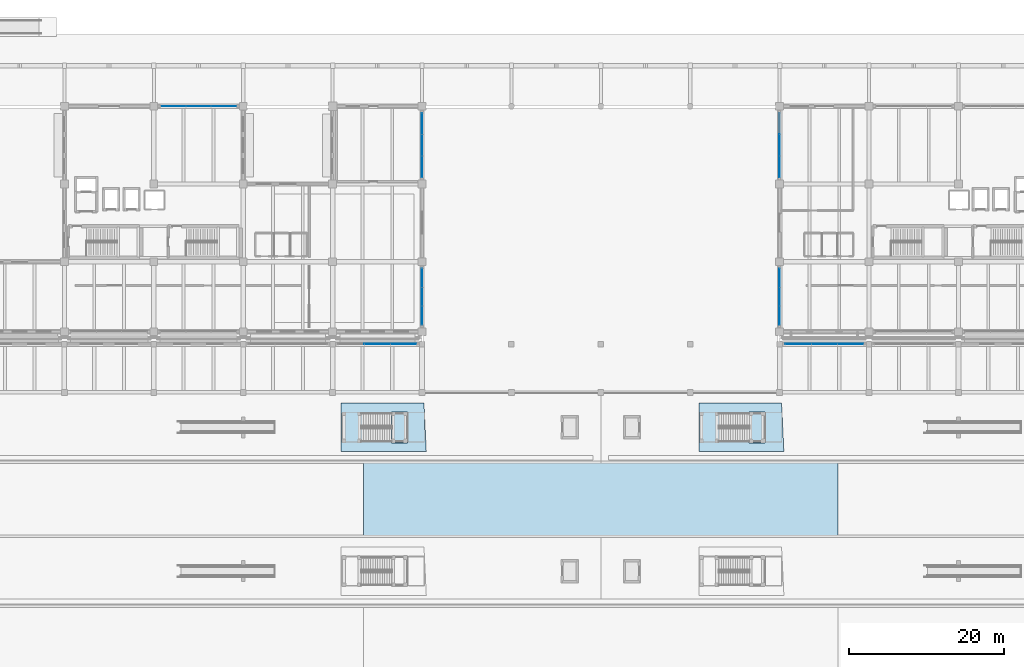
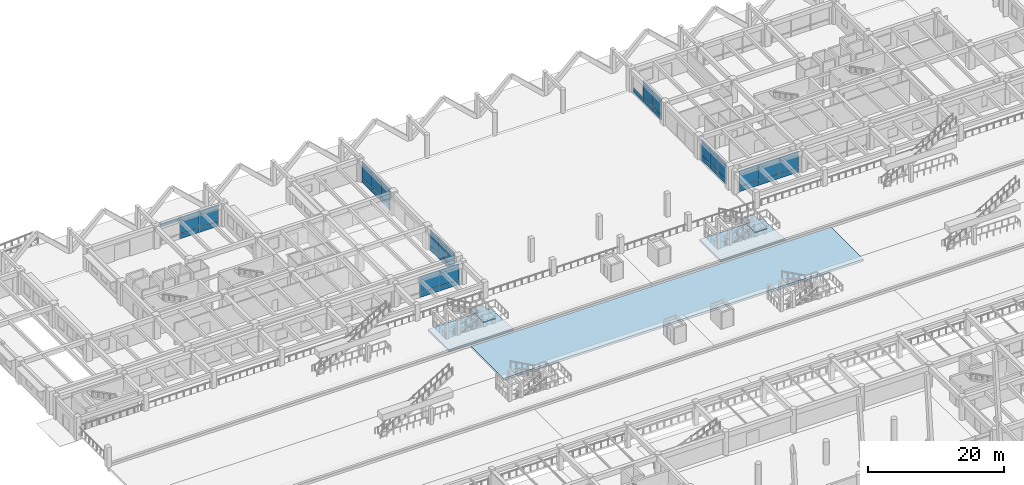
# One storey, part 74 of 109: 56 plates, 5 slabs, 9 elements without a shape of their own.
"""IFC4 building model written with IfcOpenShell, lengths in metres."""

from ifc_helpers import new_model, si_unit, direction, frame, origin, origin_2d, place, context, subcontext, project, spatial, polyline, rectangle, outline, extrude, material, layer, layer_set, type_object, element, aggregate, save


model = new_model("IFC4")

# Units and contexts
model_context = context("Model", 3, precision=1e-05, world=origin(), true_north=direction((0.0, 1.0)))
body_context = subcontext(model_context, "Body", "Model", "MODEL_VIEW")
ifc_project = project(units=[si_unit("LENGTHUNIT", "METRE"), si_unit("AREAUNIT", "SQUARE_METRE"), si_unit("VOLUMEUNIT", "CUBIC_METRE"), si_unit("PLANEANGLEUNIT", "RADIAN"), si_unit("MASSUNIT", "GRAM", prefix="KILO")], contexts=[model_context])

# Site, building, storey
site_placement = place(None, origin())
site = spatial("IfcSite", under=ifc_project, at=site_placement, CompositionType="ELEMENT")
building_placement = place(site_placement, origin())
building = spatial("IfcBuilding", under=site, at=building_placement, Name="Ologun Quay Terminus", CompositionType="ELEMENT")
storey_placement = place(building_placement, origin())
storey = spatial("IfcBuildingStorey", under=building, at=storey_placement, Name="L00", CompositionType="ELEMENT", Elevation=0.0)

# Curtain wall, plates
ifc_material_1 = material(Name="Aluminium 6063-T6", Category="aluminium")
curtain_wall_type_1 = type_object("IfcCurtainWallType", Name="Rain-Garden West Courtyard Curtain Wall L00 8200x3750", PredefinedType="USERDEFINED", material=ifc_material_1)
curtain_wall_1_placement = place(storey_placement, origin())
curtain_wall_1 = element("IfcCurtainWall", 1, at=curtain_wall_1_placement, inside=storey, type_object=curtain_wall_type_1, Name="CW-13 Curtain Wall CW-L00-094", ObjectType="UNITISED CURTAIN WALL", PredefinedType="USERDEFINED")
ifc_material_2 = material(Name="Aluminium 6063-T6", Category="aluminium")
ifc_layer_1 = layer(ifc_material_2, 0.06005859375)
ifc_layer_set_1 = layer_set([ifc_layer_1], Name="Aluminium 6063-T6")
plate_type_1 = type_object("IfcPlateType", Name="Anodised Bronze Spandrel Panel 60", PredefinedType="CURTAIN_PANEL", material=ifc_layer_set_1)
plate_1_placement = place(storey_placement, frame((69.0, 87.8798828125, 0.02978515625), z_axis=(0.0, 0.0, 1.0), x_axis=(0.0, 1.0, 0.0)))
plate_1 = element("IfcPlate", 2, at=plate_1_placement, type_object=plate_type_1, Name="CW-L00-094 Panel B1-1", PredefinedType="CURTAIN_PANEL", context=body_context, shape_type="SweptSolid", body=[
    extrude(rectangle(XDim=2.419921875, YDim=0.06005859375, at=origin_2d()), origin(), (0.0, 0.0, 1.0), 0.840087890625),
])
plate_2_placement = place(storey_placement, frame((69.0, 90.300048828125, 0.02978515625), z_axis=(0.0, 0.0, 1.0), x_axis=(0.0, 1.0, 0.0)))
plate_2 = element("IfcPlate", 3, at=plate_2_placement, type_object=plate_type_1, Name="CW-L00-094 Panel B2-1", PredefinedType="CURTAIN_PANEL", context=body_context, shape_type="SweptSolid", body=[
    extrude(rectangle(XDim=2.419921875, YDim=0.06005859375, at=origin_2d()), origin(), (0.0, 0.0, 1.0), 0.840087890625),
])
plate_3_placement = place(storey_placement, frame((69.0, 92.719970703125, 0.02978515625), z_axis=(0.0, 0.0, 1.0), x_axis=(0.0, 1.0, 0.0)))
plate_3 = element("IfcPlate", 4, at=plate_3_placement, type_object=plate_type_1, Name="CW-L00-094 Panel B3-1", PredefinedType="CURTAIN_PANEL", context=body_context, shape_type="SweptSolid", body=[
    extrude(rectangle(XDim=2.419921875, YDim=0.06005859375, at=origin_2d()), origin(), (0.0, 0.0, 1.0), 0.840087890625),
])

curtain_wall_2_placement = place(storey_placement, origin())
curtain_wall_2 = element("IfcCurtainWall", 5, at=curtain_wall_2_placement, inside=storey, type_object=curtain_wall_type_1, Name="CW-13 Curtain Wall CW-L00-095", ObjectType="UNITISED CURTAIN WALL", PredefinedType="USERDEFINED")
plate_4_placement = place(storey_placement, frame((69.0, 107.046630859375, 0.02978515625), z_axis=(0.0, 0.0, 1.0), x_axis=(0.0, 1.0, 0.0)))
plate_4 = element("IfcPlate", 6, at=plate_4_placement, type_object=plate_type_1, Name="CW-L00-095 Panel B1-1", PredefinedType="CURTAIN_PANEL", context=body_context, shape_type="SweptSolid", body=[
    extrude(rectangle(XDim=2.75341796875, YDim=0.06005859375, at=origin_2d()), origin(), (0.0, 0.0, 1.0), 0.840087890625),
])
plate_5_placement = place(storey_placement, frame((69.0, 109.800048828125, 0.02978515625), z_axis=(0.0, 0.0, 1.0), x_axis=(0.0, 1.0, 0.0)))
plate_5 = element("IfcPlate", 7, at=plate_5_placement, type_object=plate_type_1, Name="CW-L00-095 Panel B2-1", PredefinedType="CURTAIN_PANEL", context=body_context, shape_type="SweptSolid", body=[
    extrude(rectangle(XDim=2.75341796875, YDim=0.06005859375, at=origin_2d()), origin(), (0.0, 0.0, 1.0), 0.840087890625),
])
plate_6_placement = place(storey_placement, frame((69.0, 112.55322265625, 0.02978515625), z_axis=(0.0, 0.0, 1.0), x_axis=(0.0, 1.0, 0.0)))
plate_6 = element("IfcPlate", 8, at=plate_6_placement, type_object=plate_type_1, Name="CW-L00-095 Panel B3-1", PredefinedType="CURTAIN_PANEL", context=body_context, shape_type="SweptSolid", body=[
    extrude(rectangle(XDim=2.75341796875, YDim=0.06005859375, at=origin_2d()), origin(), (0.0, 0.0, 1.0), 0.840087890625),
])

ifc_material_3 = material(Name="Aluminium 6063-T6", Category="aluminium")
curtain_wall_type_2 = type_object("IfcCurtainWallType", Name="Waterfront Pavilion Harbour Curtain Wall L00 10500x3750", PredefinedType="USERDEFINED", material=ifc_material_3)
curtain_wall_3_placement = place(storey_placement, origin())
curtain_wall_3 = element("IfcCurtainWall", 9, at=curtain_wall_3_placement, inside=storey, type_object=curtain_wall_type_2, Name="CW-22 Curtain Wall CW-L00-096", ObjectType="UNITISED CURTAIN WALL", PredefinedType="USERDEFINED")
plate_7_placement = place(storey_placement, frame((40.25, 114.800048828125, 0.02978515625), z_axis=(0.0, 0.0, 1.0), x_axis=(1.0, 0.0, 0.0)))
plate_7 = element("IfcPlate", 10, at=plate_7_placement, type_object=plate_type_1, Name="CW-L00-096 Panel B2-1", PredefinedType="CURTAIN_PANEL", context=body_context, shape_type="SweptSolid", body=[
    extrude(rectangle(XDim=3.25341796875, YDim=0.06005859375, at=origin_2d()), origin(), (0.0, 0.0, 1.0), 0.840087890625),
])
plate_8_placement = place(storey_placement, frame((43.50341796875, 114.800048828125, 0.02978515625), z_axis=(0.0, 0.0, 1.0), x_axis=(1.0, 0.0, 0.0)))
plate_8 = element("IfcPlate", 11, at=plate_8_placement, type_object=plate_type_1, Name="CW-L00-096 Panel B3-1", PredefinedType="CURTAIN_PANEL", context=body_context, shape_type="SweptSolid", body=[
    extrude(rectangle(XDim=3.25341796875, YDim=0.06005859375, at=origin_2d()), origin(), (0.0, 0.0, 1.0), 0.840087890625),
])

# Slabs
ifc_material_4 = material(Name="Concrete C40/50", Category="concrete")
ifc_layer_2 = layer(ifc_material_4, 0.320068359375)
ifc_layer_set_2 = layer_set([ifc_layer_2], Name="Concrete C40/50")
slab_type_1 = type_object("IfcSlabType", Name="Ground Podium Structural Slab 320", PredefinedType="FLOOR", material=ifc_layer_set_2)
slab_1_placement = place(storey_placement, frame((0.0, 0.0, -0.320068359375)))
element("IfcSlab", 12, at=slab_1_placement, inside=storey, type_object=slab_type_1, Name="SL-GND Platform Stair Base Slab ST-P3", PredefinedType="FLOOR", context=body_context, shape_type="SweptSolid", body=[
    extrude(outline(polyline([(58.60009765625, 70.39990234375), (69.550048828125, 70.39990234375), (69.25, 76.60009765625), (58.60009765625, 76.60009765625), (58.60009765625, 70.39990234375)])), origin(), (0.0, 0.0, 1.0), 0.320068359375),
])
slab_2_placement = place(storey_placement, frame((0.0, 0.0, -0.320068359375)))
element("IfcSlab", 13, at=slab_2_placement, inside=storey, type_object=slab_type_1, Name="SL-GND Platform Stair Base Slab ST-P4", PredefinedType="FLOOR", context=body_context, shape_type="SweptSolid", body=[
    extrude(outline(polyline([(104.60009765625, 70.39990234375), (115.550048828125, 70.39990234375), (115.25, 76.60009765625), (104.60009765625, 76.60009765625), (104.60009765625, 70.39990234375)])), origin(), (0.0, 0.0, 1.0), 0.320068359375),
])

# Plate
ifc_material_5 = material(Name="Glass", Category="glass")
ifc_layer_3 = layer(ifc_material_5, 0.035888671875)
ifc_layer_set_3 = layer_set([ifc_layer_3], Name="Glass")
plate_type_2 = type_object("IfcPlateType", Name="High-Selectivity Harbour Glazed Panel 36", PredefinedType="CURTAIN_PANEL", material=ifc_layer_set_3)
plate_9_placement = place(storey_placement, frame((69.0, 87.8798828125, 0.929931640625), z_axis=(0.0, 0.0, 1.0), x_axis=(0.0, 1.0, 0.0)))
plate_9 = element("IfcPlate", 14, at=plate_9_placement, type_object=plate_type_2, Name="CW-L00-094 Panel B1-2", PredefinedType="CURTAIN_PANEL", context=body_context, shape_type="SweptSolid", body=[
    extrude(rectangle(XDim=2.419921875, YDim=0.035888671875, at=origin_2d()), origin(), (0.0, 0.0, 1.0), 2.27001953125),
])

plate_10_placement = place(storey_placement, frame((69.0, 87.8798828125, 3.26025390625), z_axis=(0.0, 0.0, 1.0), x_axis=(0.0, 1.0, 0.0)))
plate_10 = element("IfcPlate", 15, at=plate_10_placement, type_object=plate_type_2, Name="CW-L00-094 Panel B1-3", PredefinedType="CURTAIN_PANEL", context=body_context, shape_type="SweptSolid", body=[
    extrude(rectangle(XDim=2.419921875, YDim=0.035888671875, at=origin_2d()), origin(), (0.0, 0.0, 1.0), 0.639892578125),
])

plate_11_placement = place(storey_placement, frame((69.0, 90.300048828125, 0.929931640625), z_axis=(0.0, 0.0, 1.0), x_axis=(0.0, 1.0, 0.0)))
plate_11 = element("IfcPlate", 16, at=plate_11_placement, type_object=plate_type_2, Name="CW-L00-094 Panel B2-2", PredefinedType="CURTAIN_PANEL", context=body_context, shape_type="SweptSolid", body=[
    extrude(rectangle(XDim=2.419921875, YDim=0.035888671875, at=origin_2d()), origin(), (0.0, 0.0, 1.0), 2.27001953125),
])

plate_12_placement = place(storey_placement, frame((69.0, 90.300048828125, 3.26025390625), z_axis=(0.0, 0.0, 1.0), x_axis=(0.0, 1.0, 0.0)))
plate_12 = element("IfcPlate", 17, at=plate_12_placement, type_object=plate_type_2, Name="CW-L00-094 Panel B2-3", PredefinedType="CURTAIN_PANEL", context=body_context, shape_type="SweptSolid", body=[
    extrude(rectangle(XDim=2.419921875, YDim=0.035888671875, at=origin_2d()), origin(), (0.0, 0.0, 1.0), 0.639892578125),
])

plate_13_placement = place(storey_placement, frame((69.0, 92.719970703125, 0.929931640625), z_axis=(0.0, 0.0, 1.0), x_axis=(0.0, 1.0, 0.0)))
plate_13 = element("IfcPlate", 18, at=plate_13_placement, type_object=plate_type_2, Name="CW-L00-094 Panel B3-2", PredefinedType="CURTAIN_PANEL", context=body_context, shape_type="SweptSolid", body=[
    extrude(rectangle(XDim=2.419921875, YDim=0.035888671875, at=origin_2d()), origin(), (0.0, 0.0, 1.0), 2.27001953125),
])

plate_14_placement = place(storey_placement, frame((69.0, 92.719970703125, 3.26025390625), z_axis=(0.0, 0.0, 1.0), x_axis=(0.0, 1.0, 0.0)))
plate_14 = element("IfcPlate", 19, at=plate_14_placement, type_object=plate_type_2, Name="CW-L00-094 Panel B3-3", PredefinedType="CURTAIN_PANEL", context=body_context, shape_type="SweptSolid", body=[
    extrude(rectangle(XDim=2.419921875, YDim=0.035888671875, at=origin_2d()), origin(), (0.0, 0.0, 1.0), 0.639892578125),
])

aggregate(curtain_wall_1, [plate_1, plate_9, plate_10, plate_2, plate_11, plate_12, plate_3, plate_13, plate_14])

plate_15_placement = place(storey_placement, frame((69.0, 107.046630859375, 0.929931640625), z_axis=(0.0, 0.0, 1.0), x_axis=(0.0, 1.0, 0.0)))
plate_15 = element("IfcPlate", 20, at=plate_15_placement, type_object=plate_type_2, Name="CW-L00-095 Panel B1-2", PredefinedType="CURTAIN_PANEL", context=body_context, shape_type="SweptSolid", body=[
    extrude(rectangle(XDim=2.75341796875, YDim=0.035888671875, at=origin_2d()), origin(), (0.0, 0.0, 1.0), 2.27001953125),
])

plate_16_placement = place(storey_placement, frame((69.0, 107.046630859375, 3.26025390625), z_axis=(0.0, 0.0, 1.0), x_axis=(0.0, 1.0, 0.0)))
plate_16 = element("IfcPlate", 21, at=plate_16_placement, type_object=plate_type_2, Name="CW-L00-095 Panel B1-3", PredefinedType="CURTAIN_PANEL", context=body_context, shape_type="SweptSolid", body=[
    extrude(rectangle(XDim=2.75341796875, YDim=0.035888671875, at=origin_2d()), origin(), (0.0, 0.0, 1.0), 0.639892578125),
])

plate_17_placement = place(storey_placement, frame((69.0, 109.800048828125, 0.929931640625), z_axis=(0.0, 0.0, 1.0), x_axis=(0.0, 1.0, 0.0)))
plate_17 = element("IfcPlate", 22, at=plate_17_placement, type_object=plate_type_2, Name="CW-L00-095 Panel B2-2", PredefinedType="CURTAIN_PANEL", context=body_context, shape_type="SweptSolid", body=[
    extrude(rectangle(XDim=2.75341796875, YDim=0.035888671875, at=origin_2d()), origin(), (0.0, 0.0, 1.0), 2.27001953125),
])

plate_18_placement = place(storey_placement, frame((69.0, 109.800048828125, 3.26025390625), z_axis=(0.0, 0.0, 1.0), x_axis=(0.0, 1.0, 0.0)))
plate_18 = element("IfcPlate", 23, at=plate_18_placement, type_object=plate_type_2, Name="CW-L00-095 Panel B2-3", PredefinedType="CURTAIN_PANEL", context=body_context, shape_type="SweptSolid", body=[
    extrude(rectangle(XDim=2.75341796875, YDim=0.035888671875, at=origin_2d()), origin(), (0.0, 0.0, 1.0), 0.639892578125),
])

plate_19_placement = place(storey_placement, frame((69.0, 112.55322265625, 0.929931640625), z_axis=(0.0, 0.0, 1.0), x_axis=(0.0, 1.0, 0.0)))
plate_19 = element("IfcPlate", 24, at=plate_19_placement, type_object=plate_type_2, Name="CW-L00-095 Panel B3-2", PredefinedType="CURTAIN_PANEL", context=body_context, shape_type="SweptSolid", body=[
    extrude(rectangle(XDim=2.75341796875, YDim=0.035888671875, at=origin_2d()), origin(), (0.0, 0.0, 1.0), 2.27001953125),
])

plate_20_placement = place(storey_placement, frame((69.0, 112.55322265625, 3.26025390625), z_axis=(0.0, 0.0, 1.0), x_axis=(0.0, 1.0, 0.0)))
plate_20 = element("IfcPlate", 25, at=plate_20_placement, type_object=plate_type_2, Name="CW-L00-095 Panel B3-3", PredefinedType="CURTAIN_PANEL", context=body_context, shape_type="SweptSolid", body=[
    extrude(rectangle(XDim=2.75341796875, YDim=0.035888671875, at=origin_2d()), origin(), (0.0, 0.0, 1.0), 0.639892578125),
])

aggregate(curtain_wall_2, [plate_4, plate_15, plate_16, plate_5, plate_17, plate_18, plate_6, plate_19, plate_20])

plate_21_placement = place(storey_placement, frame((36.99658203125, 114.800048828125, 3.26025390625), z_axis=(0.0, 0.0, 1.0), x_axis=(1.0, 0.0, 0.0)))
plate_21 = element("IfcPlate", 26, at=plate_21_placement, type_object=plate_type_2, Name="CW-L00-096 Panel B1-3", PredefinedType="CURTAIN_PANEL", context=body_context, shape_type="SweptSolid", body=[
    extrude(rectangle(XDim=3.25341796875, YDim=0.035888671875, at=origin_2d()), origin(), (0.0, 0.0, 1.0), 0.639892578125),
])

plate_22_placement = place(storey_placement, frame((40.25, 114.800048828125, 0.929931640625), z_axis=(0.0, 0.0, 1.0), x_axis=(1.0, 0.0, 0.0)))
plate_22 = element("IfcPlate", 27, at=plate_22_placement, type_object=plate_type_2, Name="CW-L00-096 Panel B2-2", PredefinedType="CURTAIN_PANEL", context=body_context, shape_type="SweptSolid", body=[
    extrude(rectangle(XDim=3.25341796875, YDim=0.035888671875, at=origin_2d()), origin(), (0.0, 0.0, 1.0), 2.27001953125),
])

plate_23_placement = place(storey_placement, frame((40.25, 114.800048828125, 3.26025390625), z_axis=(0.0, 0.0, 1.0), x_axis=(1.0, 0.0, 0.0)))
plate_23 = element("IfcPlate", 28, at=plate_23_placement, type_object=plate_type_2, Name="CW-L00-096 Panel B2-3", PredefinedType="CURTAIN_PANEL", context=body_context, shape_type="SweptSolid", body=[
    extrude(rectangle(XDim=3.25341796875, YDim=0.035888671875, at=origin_2d()), origin(), (0.0, 0.0, 1.0), 0.639892578125),
])

plate_24_placement = place(storey_placement, frame((43.50341796875, 114.800048828125, 0.929931640625), z_axis=(0.0, 0.0, 1.0), x_axis=(1.0, 0.0, 0.0)))
plate_24 = element("IfcPlate", 29, at=plate_24_placement, type_object=plate_type_2, Name="CW-L00-096 Panel B3-2", PredefinedType="CURTAIN_PANEL", context=body_context, shape_type="SweptSolid", body=[
    extrude(rectangle(XDim=3.25341796875, YDim=0.035888671875, at=origin_2d()), origin(), (0.0, 0.0, 1.0), 2.27001953125),
])

plate_25_placement = place(storey_placement, frame((43.50341796875, 114.800048828125, 3.26025390625), z_axis=(0.0, 0.0, 1.0), x_axis=(1.0, 0.0, 0.0)))
plate_25 = element("IfcPlate", 30, at=plate_25_placement, type_object=plate_type_2, Name="CW-L00-096 Panel B3-3", PredefinedType="CURTAIN_PANEL", context=body_context, shape_type="SweptSolid", body=[
    extrude(rectangle(XDim=3.25341796875, YDim=0.035888671875, at=origin_2d()), origin(), (0.0, 0.0, 1.0), 0.639892578125),
])

aggregate(curtain_wall_3, [plate_21, plate_7, plate_22, plate_23, plate_8, plate_24, plate_25])

# Curtain wall, plates
ifc_material_6 = material(Name="Aluminium 6063-T6", Category="aluminium")
curtain_wall_type_3 = type_object("IfcCurtainWallType", Name="Rain-Garden East Courtyard Curtain Wall L00 9200x3750", PredefinedType="USERDEFINED", material=ifc_material_6)
curtain_wall_4_placement = place(storey_placement, origin())
curtain_wall_4 = element("IfcCurtainWall", 31, at=curtain_wall_4_placement, inside=storey, type_object=curtain_wall_type_3, Name="CW-17 Curtain Wall CW-L00-122", ObjectType="UNITISED CURTAIN WALL", PredefinedType="USERDEFINED")
plate_26_placement = place(storey_placement, frame((115.0, 87.8798828125, 0.929931640625), z_axis=(0.0, 0.0, 1.0), x_axis=(0.0, 1.0, 0.0)))
plate_26 = element("IfcPlate", 32, at=plate_26_placement, type_object=plate_type_2, Name="CW-L00-122 Panel B1-2", PredefinedType="CURTAIN_PANEL", context=body_context, shape_type="SweptSolid", body=[
    extrude(rectangle(XDim=2.419921875, YDim=0.035888671875, at=origin_2d()), origin(), (0.0, 0.0, 1.0), 2.27001953125),
])
plate_27_placement = place(storey_placement, frame((115.0, 87.8798828125, 3.26025390625), z_axis=(0.0, 0.0, 1.0), x_axis=(0.0, 1.0, 0.0)))
plate_27 = element("IfcPlate", 33, at=plate_27_placement, type_object=plate_type_2, Name="CW-L00-122 Panel B1-3", PredefinedType="CURTAIN_PANEL", context=body_context, shape_type="SweptSolid", body=[
    extrude(rectangle(XDim=2.419921875, YDim=0.035888671875, at=origin_2d()), origin(), (0.0, 0.0, 1.0), 0.639892578125),
])
plate_28_placement = place(storey_placement, frame((115.0, 90.300048828125, 0.929931640625), z_axis=(0.0, 0.0, 1.0), x_axis=(0.0, 1.0, 0.0)))
plate_28 = element("IfcPlate", 34, at=plate_28_placement, type_object=plate_type_2, Name="CW-L00-122 Panel B2-2", PredefinedType="CURTAIN_PANEL", context=body_context, shape_type="SweptSolid", body=[
    extrude(rectangle(XDim=2.419921875, YDim=0.035888671875, at=origin_2d()), origin(), (0.0, 0.0, 1.0), 2.27001953125),
])
plate_29_placement = place(storey_placement, frame((115.0, 90.300048828125, 3.26025390625), z_axis=(0.0, 0.0, 1.0), x_axis=(0.0, 1.0, 0.0)))
plate_29 = element("IfcPlate", 35, at=plate_29_placement, type_object=plate_type_2, Name="CW-L00-122 Panel B2-3", PredefinedType="CURTAIN_PANEL", context=body_context, shape_type="SweptSolid", body=[
    extrude(rectangle(XDim=2.419921875, YDim=0.035888671875, at=origin_2d()), origin(), (0.0, 0.0, 1.0), 0.639892578125),
])
plate_30_placement = place(storey_placement, frame((115.0, 92.719970703125, 0.929931640625), z_axis=(0.0, 0.0, 1.0), x_axis=(0.0, 1.0, 0.0)))
plate_30 = element("IfcPlate", 36, at=plate_30_placement, type_object=plate_type_2, Name="CW-L00-122 Panel B3-2", PredefinedType="CURTAIN_PANEL", context=body_context, shape_type="SweptSolid", body=[
    extrude(rectangle(XDim=2.419921875, YDim=0.035888671875, at=origin_2d()), origin(), (0.0, 0.0, 1.0), 2.27001953125),
])
plate_31_placement = place(storey_placement, frame((115.0, 92.719970703125, 3.26025390625), z_axis=(0.0, 0.0, 1.0), x_axis=(0.0, 1.0, 0.0)))
plate_31 = element("IfcPlate", 37, at=plate_31_placement, type_object=plate_type_2, Name="CW-L00-122 Panel B3-3", PredefinedType="CURTAIN_PANEL", context=body_context, shape_type="SweptSolid", body=[
    extrude(rectangle(XDim=2.419921875, YDim=0.035888671875, at=origin_2d()), origin(), (0.0, 0.0, 1.0), 0.639892578125),
])

curtain_wall_5_placement = place(storey_placement, origin())
curtain_wall_5 = element("IfcCurtainWall", 38, at=curtain_wall_5_placement, inside=storey, type_object=curtain_wall_type_3, Name="CW-17 Curtain Wall CW-L00-123", ObjectType="UNITISED CURTAIN WALL", PredefinedType="USERDEFINED")
plate_32_placement = place(storey_placement, frame((115.0, 107.046630859375, 0.929931640625), z_axis=(0.0, 0.0, 1.0), x_axis=(0.0, 1.0, 0.0)))
plate_32 = element("IfcPlate", 39, at=plate_32_placement, type_object=plate_type_2, Name="CW-L00-123 Panel B1-2", PredefinedType="CURTAIN_PANEL", context=body_context, shape_type="SweptSolid", body=[
    extrude(rectangle(XDim=2.75341796875, YDim=0.035888671875, at=origin_2d()), origin(), (0.0, 0.0, 1.0), 2.27001953125),
])
plate_33_placement = place(storey_placement, frame((115.0, 107.046630859375, 3.26025390625), z_axis=(0.0, 0.0, 1.0), x_axis=(0.0, 1.0, 0.0)))
plate_33 = element("IfcPlate", 40, at=plate_33_placement, type_object=plate_type_2, Name="CW-L00-123 Panel B1-3", PredefinedType="CURTAIN_PANEL", context=body_context, shape_type="SweptSolid", body=[
    extrude(rectangle(XDim=2.75341796875, YDim=0.035888671875, at=origin_2d()), origin(), (0.0, 0.0, 1.0), 0.639892578125),
])
plate_34_placement = place(storey_placement, frame((115.0, 109.800048828125, 0.929931640625), z_axis=(0.0, 0.0, 1.0), x_axis=(0.0, 1.0, 0.0)))
plate_34 = element("IfcPlate", 41, at=plate_34_placement, type_object=plate_type_2, Name="CW-L00-123 Panel B2-2", PredefinedType="CURTAIN_PANEL", context=body_context, shape_type="SweptSolid", body=[
    extrude(rectangle(XDim=2.75341796875, YDim=0.035888671875, at=origin_2d()), origin(), (0.0, 0.0, 1.0), 2.27001953125),
])
plate_35_placement = place(storey_placement, frame((115.0, 109.800048828125, 3.26025390625), z_axis=(0.0, 0.0, 1.0), x_axis=(0.0, 1.0, 0.0)))
plate_35 = element("IfcPlate", 42, at=plate_35_placement, type_object=plate_type_2, Name="CW-L00-123 Panel B2-3", PredefinedType="CURTAIN_PANEL", context=body_context, shape_type="SweptSolid", body=[
    extrude(rectangle(XDim=2.75341796875, YDim=0.035888671875, at=origin_2d()), origin(), (0.0, 0.0, 1.0), 0.639892578125),
])

ifc_material_7 = material(Name="Aluminium 6063-T6", Category="aluminium")
curtain_wall_type_4 = type_object("IfcCurtainWallType", Name="Ticket Hall Grand Portal Curtain Wall 10700x7700", PredefinedType="USERDEFINED", material=ifc_material_7)
curtain_wall_6_placement = place(storey_placement, origin())
curtain_wall_6 = element("IfcCurtainWall", 43, at=curtain_wall_6_placement, inside=storey, type_object=curtain_wall_type_4, Name="CW-01 Curtain Wall CW-L00-085", ObjectType="UNITISED CURTAIN WALL", PredefinedType="USERDEFINED")
ifc_material_8 = material(Name="Aluminium 6063-T6", Category="aluminium")
ifc_layer_4 = layer(ifc_material_8, 0.050048828125)
ifc_layer_set_4 = layer_set([ifc_layer_4], Name="Aluminium 6063-T6")
plate_type_3 = type_object("IfcPlateType", Name="Insulated Aluminium Shadow-Box Spandrel 50", PredefinedType="CURTAIN_PANEL", material=ifc_layer_set_4)
plate_36_placement = place(storey_placement, frame((63.25, 84.199951171875, 0.02978515625), z_axis=(0.0, 0.0, 1.0), x_axis=(1.0, 0.0, 0.0)))
plate_36 = element("IfcPlate", 44, at=plate_36_placement, type_object=plate_type_3, Name="CW-L00-085 Panel B2-1", PredefinedType="CURTAIN_PANEL", context=body_context, shape_type="SweptSolid", body=[
    extrude(rectangle(XDim=3.353271484375, YDim=0.050048828125, at=origin_2d()), origin(), (0.0, 0.0, 1.0), 0.840087890625),
])
plate_37_placement = place(storey_placement, frame((66.603271484375, 84.199951171875, 0.02978515625), z_axis=(0.0, 0.0, 1.0), x_axis=(1.0, 0.0, 0.0)))
plate_37 = element("IfcPlate", 45, at=plate_37_placement, type_object=plate_type_3, Name="CW-L00-085 Panel B3-1", PredefinedType="CURTAIN_PANEL", context=body_context, shape_type="SweptSolid", body=[
    extrude(rectangle(XDim=3.353271484375, YDim=0.050048828125, at=origin_2d()), origin(), (0.0, 0.0, 1.0), 0.840087890625),
])

curtain_wall_7_placement = place(storey_placement, origin())
curtain_wall_7 = element("IfcCurtainWall", 46, at=curtain_wall_7_placement, inside=storey, type_object=curtain_wall_type_4, Name="CW-01 Curtain Wall CW-L00-086", ObjectType="UNITISED CURTAIN WALL", PredefinedType="USERDEFINED")
plate_38_placement = place(storey_placement, frame((117.396728515625, 84.199951171875, 0.02978515625), z_axis=(0.0, 0.0, 1.0), x_axis=(1.0, 0.0, 0.0)))
plate_38 = element("IfcPlate", 47, at=plate_38_placement, type_object=plate_type_3, Name="CW-L00-086 Panel B1-1", PredefinedType="CURTAIN_PANEL", context=body_context, shape_type="SweptSolid", body=[
    extrude(rectangle(XDim=3.353271484375, YDim=0.050048828125, at=origin_2d()), origin(), (0.0, 0.0, 1.0), 0.840087890625),
])
plate_39_placement = place(storey_placement, frame((120.75, 84.199951171875, 0.02978515625), z_axis=(0.0, 0.0, 1.0), x_axis=(1.0, 0.0, 0.0)))
plate_39 = element("IfcPlate", 48, at=plate_39_placement, type_object=plate_type_3, Name="CW-L00-086 Panel B2-1", PredefinedType="CURTAIN_PANEL", context=body_context, shape_type="SweptSolid", body=[
    extrude(rectangle(XDim=3.353271484375, YDim=0.050048828125, at=origin_2d()), origin(), (0.0, 0.0, 1.0), 0.840087890625),
])
plate_40_placement = place(storey_placement, frame((124.103271484375, 84.199951171875, 0.02978515625), z_axis=(0.0, 0.0, 1.0), x_axis=(1.0, 0.0, 0.0)))
plate_40 = element("IfcPlate", 49, at=plate_40_placement, type_object=plate_type_3, Name="CW-L00-086 Panel B3-1", PredefinedType="CURTAIN_PANEL", context=body_context, shape_type="SweptSolid", body=[
    extrude(rectangle(XDim=3.353271484375, YDim=0.050048828125, at=origin_2d()), origin(), (0.0, 0.0, 1.0), 0.840087890625),
])

# Plate
plate_41_placement = place(storey_placement, frame((115.0, 87.8798828125, 0.02978515625), z_axis=(0.0, 0.0, 1.0), x_axis=(0.0, 1.0, 0.0)))
plate_41 = element("IfcPlate", 50, at=plate_41_placement, type_object=plate_type_3, Name="CW-L00-122 Panel B1-1", PredefinedType="CURTAIN_PANEL", context=body_context, shape_type="SweptSolid", body=[
    extrude(rectangle(XDim=2.419921875, YDim=0.050048828125, at=origin_2d()), origin(), (0.0, 0.0, 1.0), 0.840087890625),
])

plate_42_placement = place(storey_placement, frame((115.0, 90.300048828125, 0.02978515625), z_axis=(0.0, 0.0, 1.0), x_axis=(0.0, 1.0, 0.0)))
plate_42 = element("IfcPlate", 51, at=plate_42_placement, type_object=plate_type_3, Name="CW-L00-122 Panel B2-1", PredefinedType="CURTAIN_PANEL", context=body_context, shape_type="SweptSolid", body=[
    extrude(rectangle(XDim=2.419921875, YDim=0.050048828125, at=origin_2d()), origin(), (0.0, 0.0, 1.0), 0.840087890625),
])

plate_43_placement = place(storey_placement, frame((115.0, 92.719970703125, 0.02978515625), z_axis=(0.0, 0.0, 1.0), x_axis=(0.0, 1.0, 0.0)))
plate_43 = element("IfcPlate", 52, at=plate_43_placement, type_object=plate_type_3, Name="CW-L00-122 Panel B3-1", PredefinedType="CURTAIN_PANEL", context=body_context, shape_type="SweptSolid", body=[
    extrude(rectangle(XDim=2.419921875, YDim=0.050048828125, at=origin_2d()), origin(), (0.0, 0.0, 1.0), 0.840087890625),
])

aggregate(curtain_wall_4, [plate_41, plate_26, plate_27, plate_42, plate_28, plate_29, plate_43, plate_30, plate_31])

plate_44_placement = place(storey_placement, frame((115.0, 107.046630859375, 0.02978515625), z_axis=(0.0, 0.0, 1.0), x_axis=(0.0, 1.0, 0.0)))
plate_44 = element("IfcPlate", 53, at=plate_44_placement, type_object=plate_type_3, Name="CW-L00-123 Panel B1-1", PredefinedType="CURTAIN_PANEL", context=body_context, shape_type="SweptSolid", body=[
    extrude(rectangle(XDim=2.75341796875, YDim=0.050048828125, at=origin_2d()), origin(), (0.0, 0.0, 1.0), 0.840087890625),
])

plate_45_placement = place(storey_placement, frame((115.0, 109.800048828125, 0.02978515625), z_axis=(0.0, 0.0, 1.0), x_axis=(0.0, 1.0, 0.0)))
plate_45 = element("IfcPlate", 54, at=plate_45_placement, type_object=plate_type_3, Name="CW-L00-123 Panel B2-1", PredefinedType="CURTAIN_PANEL", context=body_context, shape_type="SweptSolid", body=[
    extrude(rectangle(XDim=2.75341796875, YDim=0.050048828125, at=origin_2d()), origin(), (0.0, 0.0, 1.0), 0.840087890625),
])

plate_46_placement = place(storey_placement, frame((115.0, 112.55322265625, 0.02978515625), z_axis=(0.0, 0.0, 1.0), x_axis=(0.0, 1.0, 0.0)))
plate_46 = element("IfcPlate", 55, at=plate_46_placement, type_object=plate_type_3, Name="CW-L00-123 Panel B3-1", PredefinedType="CURTAIN_PANEL", context=body_context, shape_type="SweptSolid", body=[
    extrude(rectangle(XDim=2.75341796875, YDim=0.050048828125, at=origin_2d()), origin(), (0.0, 0.0, 1.0), 0.840087890625),
])

aggregate(curtain_wall_5, [plate_44, plate_32, plate_33, plate_45, plate_34, plate_35, plate_46])

# Slab
ifc_material_9 = material(Name="Concrete C40/50", Category="concrete")
ifc_layer_5 = layer(ifc_material_9, 0.39990234375)
ifc_layer_set_5 = layer_set([ifc_layer_5], Name="Concrete C40/50")
slab_type_2 = type_object("IfcSlabType", Name="Isolated Railway Track Bed Slab 400", PredefinedType="FLOOR", material=ifc_layer_set_5)
slab_3_placement = place(storey_placement, frame((0.0, 0.0, 0.14990234375)))
element("IfcSlab", 56, at=slab_3_placement, inside=storey, type_object=slab_type_2, Name="SL-TRK Track Bed T3-T4 Slab Zone 2", PredefinedType="FLOOR", context=body_context, shape_type="SweptSolid", body=[
    extrude(outline(polyline([(61.5, 59.5), (122.5, 59.5), (122.5, 69.0), (61.5, 69.0), (61.5, 59.5)])), origin(), (0.0, 0.0, 1.0), 0.400146484375),
])

# Stair, slab
ifc_material_10 = material(Name="Concrete C40/50", Category="concrete")
stair_type = type_object("IfcStairType", Name="Platform Concourse Transfer Stair 1700", PredefinedType="HALF_TURN_STAIR", material=ifc_material_10)
stair_1_placement = place(storey_placement, origin())
stair_1 = element("IfcStair", 57, at=stair_1_placement, inside=storey, type_object=stair_type, Name="ST-P3 Stair L00", PredefinedType="HALF_TURN_STAIR")
ifc_material_11 = material(Name="Precast Concrete C40/50", Category="concrete")
ifc_layer_6 = layer(ifc_material_11, 0.179931640625)
ifc_layer_set_6 = layer_set([ifc_layer_6], Name="Precast Concrete C40/50")
slab_type_3 = type_object("IfcSlabType", Name="Precast Stair Half-Landing Slab 180", PredefinedType="LANDING", material=ifc_layer_set_6)
slab_4_placement = place(storey_placement, frame((0.0, 0.0, 1.919921875)))
slab_4 = element("IfcSlab", 58, at=slab_4_placement, type_object=slab_type_3, Name="ST-P3 Half-Landing L00", PredefinedType="LANDING", context=body_context, shape_type="SweptSolid", body=[
    extrude(outline(polyline([(65.070068359375, 71.5), (67.14990234375, 71.5), (67.14990234375, 75.5), (65.070068359375, 75.5), (65.070068359375, 71.5)])), origin(), (0.0, 0.0, 1.0), 0.18017578125),
])
aggregate(stair_1, [slab_4])

stair_2_placement = place(storey_placement, origin())
stair_2 = element("IfcStair", 59, at=stair_2_placement, inside=storey, type_object=stair_type, Name="ST-P4 Stair L00", PredefinedType="HALF_TURN_STAIR")
slab_5_placement = place(storey_placement, frame((0.0, 0.0, 1.919921875)))
slab_5 = element("IfcSlab", 60, at=slab_5_placement, type_object=slab_type_3, Name="ST-P4 Half-Landing L00", PredefinedType="LANDING", context=body_context, shape_type="SweptSolid", body=[
    extrude(outline(polyline([(111.070068359375, 71.5), (113.14990234375, 71.5), (113.14990234375, 75.5), (111.070068359375, 75.5), (111.070068359375, 71.5)])), origin(), (0.0, 0.0, 1.0), 0.18017578125),
])
aggregate(stair_2, [slab_5])

# Plate
ifc_material_12 = material(Name="Glass", Category="glass")
ifc_layer_7 = layer(ifc_material_12, 0.028076171875)
ifc_layer_set_7 = layer_set([ifc_layer_7], Name="Glass")
plate_type_4 = type_object("IfcPlateType", Name="Solar-Control Double Glazed Panel 28", PredefinedType="CURTAIN_PANEL", material=ifc_layer_set_7)
plate_47_placement = place(storey_placement, frame((63.25, 84.199951171875, 0.929931640625), z_axis=(0.0, 0.0, 1.0), x_axis=(1.0, 0.0, 0.0)))
plate_47 = element("IfcPlate", 61, at=plate_47_placement, type_object=plate_type_4, Name="CW-L00-085 Panel B2-2", PredefinedType="CURTAIN_PANEL", context=body_context, shape_type="SweptSolid", body=[
    extrude(rectangle(XDim=3.353271484375, YDim=0.028076171875, at=origin_2d()), origin(), (0.0, 0.0, 1.0), 2.18994140625),
])

plate_48_placement = place(storey_placement, frame((63.25, 84.199951171875, 3.18017578125), z_axis=(0.0, 0.0, 1.0), x_axis=(1.0, 0.0, 0.0)))
plate_48 = element("IfcPlate", 62, at=plate_48_placement, type_object=plate_type_4, Name="CW-L00-085 Panel B2-3", PredefinedType="CURTAIN_PANEL", context=body_context, shape_type="SweptSolid", body=[
    extrude(rectangle(XDim=3.353271484375, YDim=0.028076171875, at=origin_2d()), origin(), (0.0, 0.0, 1.0), 0.639892578125),
])

plate_49_placement = place(storey_placement, frame((66.603271484375, 84.199951171875, 0.929931640625), z_axis=(0.0, 0.0, 1.0), x_axis=(1.0, 0.0, 0.0)))
plate_49 = element("IfcPlate", 63, at=plate_49_placement, type_object=plate_type_4, Name="CW-L00-085 Panel B3-2", PredefinedType="CURTAIN_PANEL", context=body_context, shape_type="SweptSolid", body=[
    extrude(rectangle(XDim=3.353271484375, YDim=0.028076171875, at=origin_2d()), origin(), (0.0, 0.0, 1.0), 2.18994140625),
])

plate_50_placement = place(storey_placement, frame((66.603271484375, 84.199951171875, 3.18017578125), z_axis=(0.0, 0.0, 1.0), x_axis=(1.0, 0.0, 0.0)))
plate_50 = element("IfcPlate", 64, at=plate_50_placement, type_object=plate_type_4, Name="CW-L00-085 Panel B3-3", PredefinedType="CURTAIN_PANEL", context=body_context, shape_type="SweptSolid", body=[
    extrude(rectangle(XDim=3.353271484375, YDim=0.028076171875, at=origin_2d()), origin(), (0.0, 0.0, 1.0), 0.639892578125),
])

aggregate(curtain_wall_6, [plate_36, plate_47, plate_48, plate_37, plate_49, plate_50])

plate_51_placement = place(storey_placement, frame((117.396728515625, 84.199951171875, 0.929931640625), z_axis=(0.0, 0.0, 1.0), x_axis=(1.0, 0.0, 0.0)))
plate_51 = element("IfcPlate", 65, at=plate_51_placement, type_object=plate_type_4, Name="CW-L00-086 Panel B1-2", PredefinedType="CURTAIN_PANEL", context=body_context, shape_type="SweptSolid", body=[
    extrude(rectangle(XDim=3.353271484375, YDim=0.028076171875, at=origin_2d()), origin(), (0.0, 0.0, 1.0), 2.18994140625),
])

plate_52_placement = place(storey_placement, frame((117.396728515625, 84.199951171875, 3.18017578125), z_axis=(0.0, 0.0, 1.0), x_axis=(1.0, 0.0, 0.0)))
plate_52 = element("IfcPlate", 66, at=plate_52_placement, type_object=plate_type_4, Name="CW-L00-086 Panel B1-3", PredefinedType="CURTAIN_PANEL", context=body_context, shape_type="SweptSolid", body=[
    extrude(rectangle(XDim=3.353271484375, YDim=0.028076171875, at=origin_2d()), origin(), (0.0, 0.0, 1.0), 0.639892578125),
])

plate_53_placement = place(storey_placement, frame((120.75, 84.199951171875, 0.929931640625), z_axis=(0.0, 0.0, 1.0), x_axis=(1.0, 0.0, 0.0)))
plate_53 = element("IfcPlate", 67, at=plate_53_placement, type_object=plate_type_4, Name="CW-L00-086 Panel B2-2", PredefinedType="CURTAIN_PANEL", context=body_context, shape_type="SweptSolid", body=[
    extrude(rectangle(XDim=3.353271484375, YDim=0.028076171875, at=origin_2d()), origin(), (0.0, 0.0, 1.0), 2.18994140625),
])

plate_54_placement = place(storey_placement, frame((120.75, 84.199951171875, 3.18017578125), z_axis=(0.0, 0.0, 1.0), x_axis=(1.0, 0.0, 0.0)))
plate_54 = element("IfcPlate", 68, at=plate_54_placement, type_object=plate_type_4, Name="CW-L00-086 Panel B2-3", PredefinedType="CURTAIN_PANEL", context=body_context, shape_type="SweptSolid", body=[
    extrude(rectangle(XDim=3.353271484375, YDim=0.028076171875, at=origin_2d()), origin(), (0.0, 0.0, 1.0), 0.639892578125),
])

plate_55_placement = place(storey_placement, frame((124.103271484375, 84.199951171875, 0.929931640625), z_axis=(0.0, 0.0, 1.0), x_axis=(1.0, 0.0, 0.0)))
plate_55 = element("IfcPlate", 69, at=plate_55_placement, type_object=plate_type_4, Name="CW-L00-086 Panel B3-2", PredefinedType="CURTAIN_PANEL", context=body_context, shape_type="SweptSolid", body=[
    extrude(rectangle(XDim=3.353271484375, YDim=0.028076171875, at=origin_2d()), origin(), (0.0, 0.0, 1.0), 2.18994140625),
])

plate_56_placement = place(storey_placement, frame((124.103271484375, 84.199951171875, 3.18017578125), z_axis=(0.0, 0.0, 1.0), x_axis=(1.0, 0.0, 0.0)))
plate_56 = element("IfcPlate", 70, at=plate_56_placement, type_object=plate_type_4, Name="CW-L00-086 Panel B3-3", PredefinedType="CURTAIN_PANEL", context=body_context, shape_type="SweptSolid", body=[
    extrude(rectangle(XDim=3.353271484375, YDim=0.028076171875, at=origin_2d()), origin(), (0.0, 0.0, 1.0), 0.639892578125),
])

aggregate(curtain_wall_7, [plate_38, plate_51, plate_52, plate_39, plate_53, plate_54, plate_40, plate_55, plate_56])

save(model, "model.ifc")
